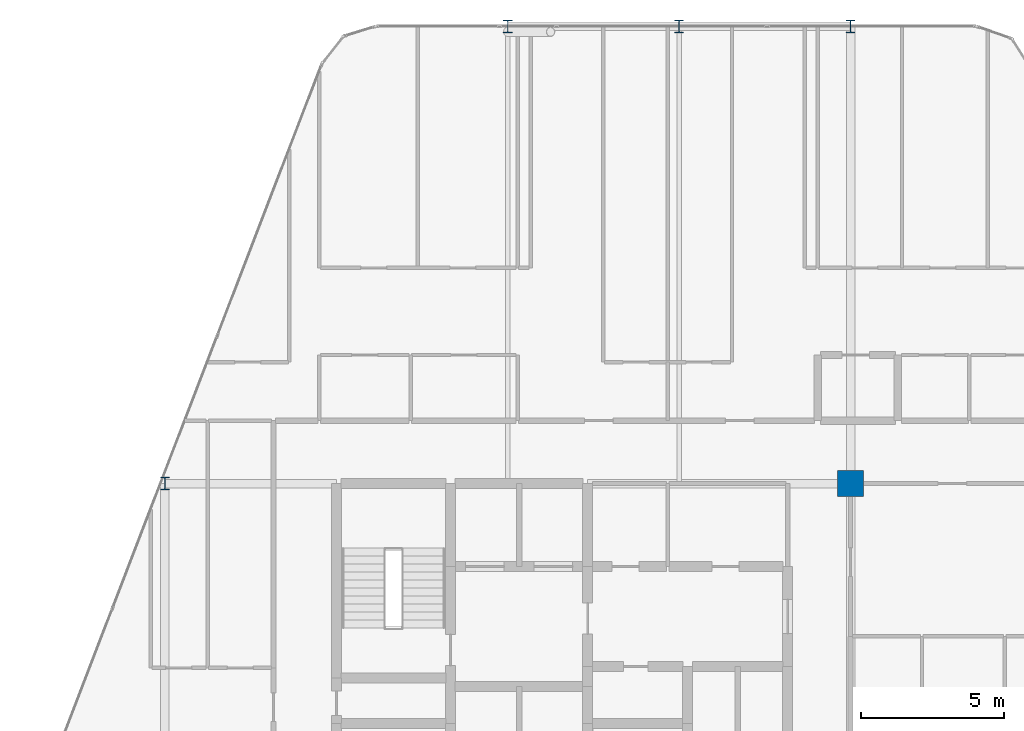
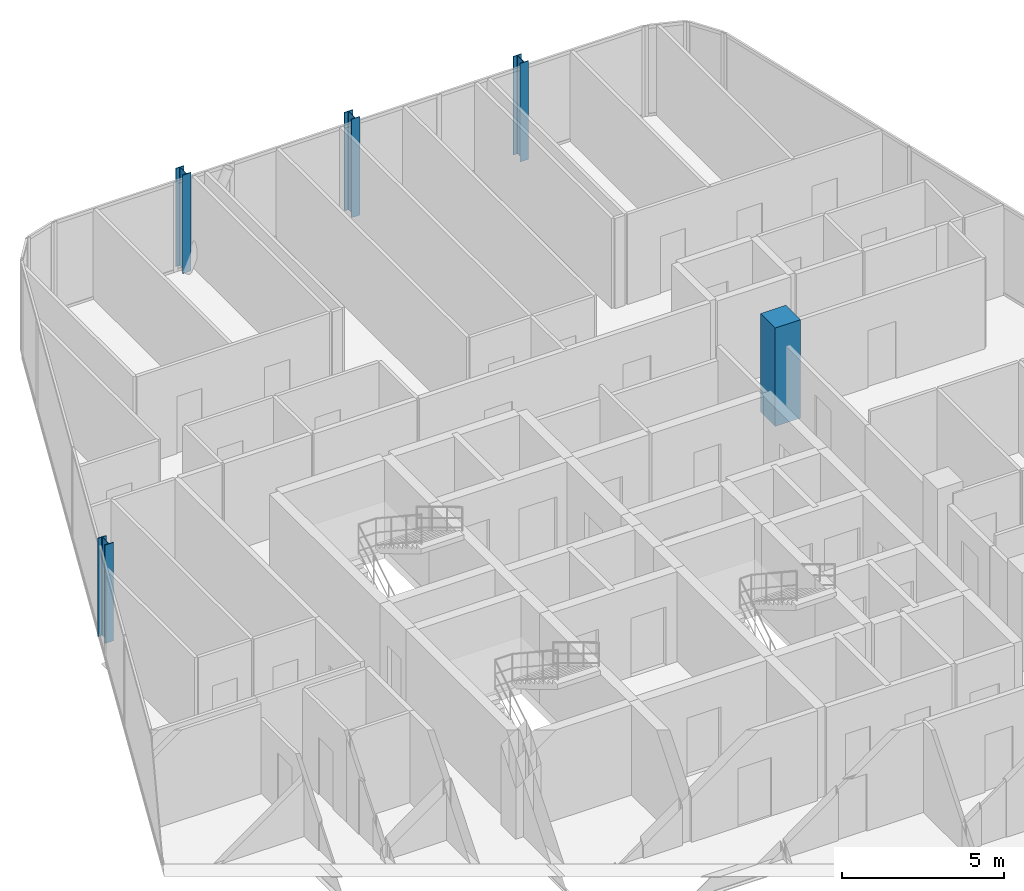
# One storey, part 3 of 29: 5 columns.
"""IFC4 building model written with IfcOpenShell, lengths in metres."""

from ifc_helpers import new_model, si_unit, direction, frame, origin, origin_2d, place, context, subcontext, project, spatial, rectangle, i_section, extrude, material, material_profile, profile_set, type_object, element, save


model = new_model("IFC4")

# Units and contexts
model_context = context("Model", 3, precision=1e-05, world=origin(), true_north=direction((0.0, 1.0)))
body_context = subcontext(model_context, "Body", "Model", "MODEL_VIEW")
ifc_project = project(units=[si_unit("LENGTHUNIT", "METRE"), si_unit("AREAUNIT", "SQUARE_METRE"), si_unit("VOLUMEUNIT", "CUBIC_METRE"), si_unit("PLANEANGLEUNIT", "RADIAN"), si_unit("MASSUNIT", "GRAM", prefix="KILO")], contexts=[model_context])

# Site, building, storey
site_placement = place(None, origin())
site = spatial("IfcSite", under=ifc_project, at=site_placement, CompositionType="ELEMENT")
building_placement = place(site_placement, origin())
building = spatial("IfcBuilding", under=site, at=building_placement, Name="Keshet Zoharim Tower", CompositionType="ELEMENT")
storey_placement = place(building_placement, frame((0.0, 0.0, 192.10009765625)))
storey = spatial("IfcBuildingStorey", under=building, at=storey_placement, Name="L47", CompositionType="ELEMENT", Elevation=192.10009765625)

# Columns
ifc_material_1 = material(Name="Steel S355", Category="steel")
ifc_material_profile_1 = material_profile(ifc_material_1, i_section(OverallWidth=0.300048828125, OverallDepth=0.449951171875, WebThickness=0.013916015625, FlangeThickness=0.02587890625, FilletRadius=0.027099609375, at=origin_2d()), Name="HEB450")
ifc_profile_set_1 = profile_set([ifc_material_profile_1], Name="Steel S355")
column_type_1 = type_object("IfcColumnType", Name="COL-HEB450", PredefinedType="COLUMN", material=ifc_profile_set_1)
for number, where, z_axis, x_axis, name in (
    (1, (9.0, 37.89990234375, 0.0), (0.0, 0.0, 1.0), (1.0, 0.0, 0.0), "L47 Column 2H"),
    (2, (21.0, 53.89990234375, 0.0), (0.0, 0.0, 1.0), (1.0, 0.0, 0.0), "L47 Column 4L"),
    (3, (27.0, 53.89990234375, 0.0), (0.0, 0.0, 1.0), (1.0, 0.0, 0.0), "L47 Column 5L"),
    (4, (33.0, 53.89990234375, 0.0), (0.0, 0.0, 1.0), (1.0, 0.0, 0.0), "L47 Column 6L"),
):
    element("IfcColumn", number, at=place(storey_placement, frame(where, z_axis=z_axis, x_axis=x_axis)), inside=storey, type_object=column_type_1, Name=name, PredefinedType="COLUMN", context=body_context, shape_type="SweptSolid", body=[
        extrude(i_section(OverallWidth=0.300048828125, OverallDepth=0.449951171875, WebThickness=0.013916015625, FlangeThickness=0.02587890625, FilletRadius=0.027099609375, at=origin_2d()), origin(), (0.0, 0.0, 1.0), 3.699951171875),
    ])
ifc_material_2 = material(Name="Concrete C60/75", Category="concrete")
ifc_material_profile_2 = material_profile(ifc_material_2, rectangle(XDim=0.89990234375, YDim=0.89990234375, at=origin_2d()), Name="RC900x900")
ifc_profile_set_2 = profile_set([ifc_material_profile_2], Name="Concrete C60/75")
column_type_2 = type_object("IfcColumnType", Name="COL-RC900", PredefinedType="COLUMN", material=ifc_profile_set_2)
column_placement = place(storey_placement, frame((33.0, 37.89990234375, 0.0), z_axis=(0.0, 0.0, 1.0), x_axis=(1.0, 0.0, 0.0)))
element("IfcColumn", 5, at=column_placement, inside=storey, type_object=column_type_2, Name="L47 Column 6H", PredefinedType="COLUMN", context=body_context, shape_type="SweptSolid", body=[
    extrude(rectangle(XDim=0.89990234375, YDim=0.89990234375, at=origin_2d()), origin(), (0.0, 0.0, 1.0), 3.699951171875),
])

save(model, "model.ifc")
